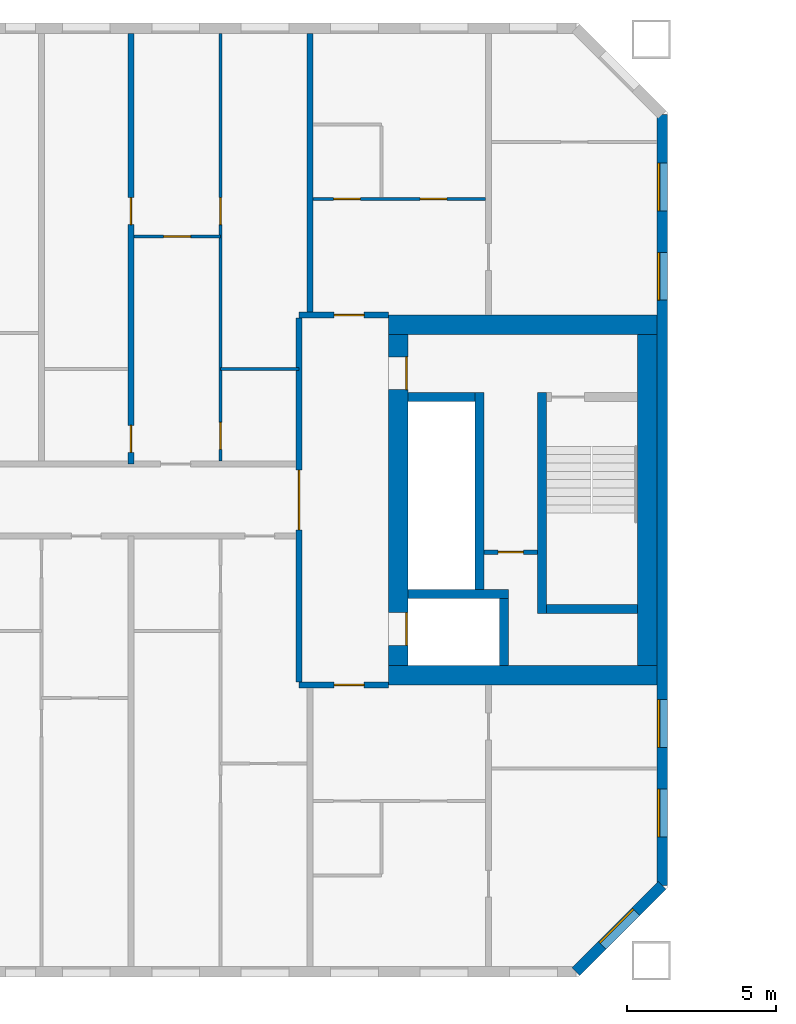
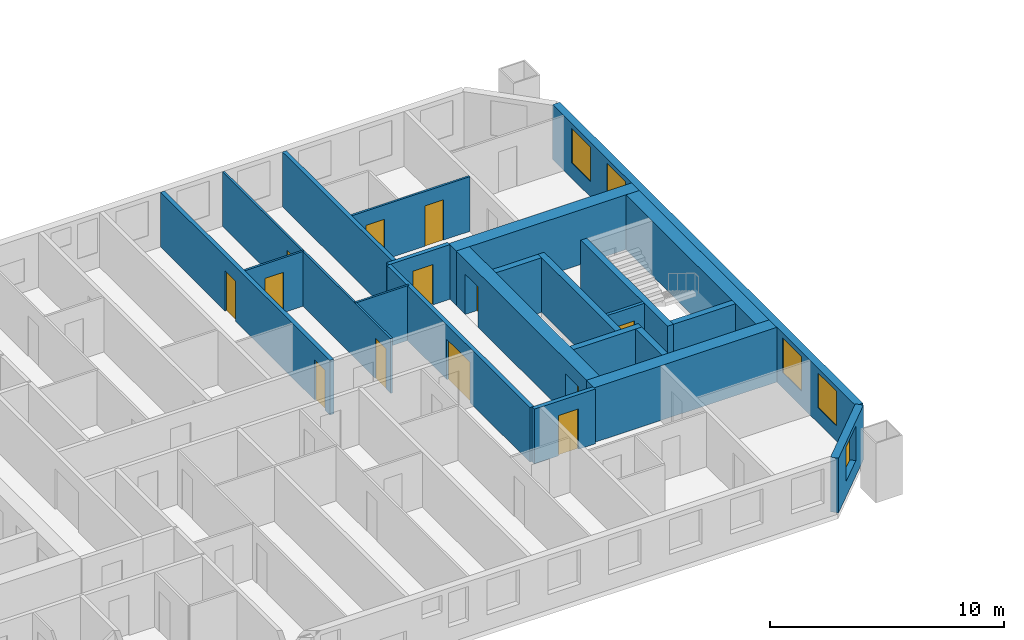
# One storey, part 7 of 16: 22 walls, 13 doors, 5 windows, 18 openings.
"""IFC4 building model written with IfcOpenShell, lengths in metres."""

from ifc_helpers import new_model, si_unit, direction, frame, frame_2d, origin, place, context, subcontext, project, spatial, rectangle, extrude, material, layer, layer_set, type_object, element, fill, save


model = new_model("IFC4")

# Units and contexts
model_context = context("Model", 3, precision=1e-05, world=origin(), true_north=direction((0.0, 1.0)))
body_context = subcontext(model_context, "Body", "Model", "MODEL_VIEW")
ifc_project = project(units=[si_unit("LENGTHUNIT", "METRE"), si_unit("AREAUNIT", "SQUARE_METRE"), si_unit("VOLUMEUNIT", "CUBIC_METRE"), si_unit("PLANEANGLEUNIT", "RADIAN"), si_unit("MASSUNIT", "GRAM", prefix="KILO")], contexts=[model_context])

# Site, building, storey
site_placement = place(None, origin())
site = spatial("IfcSite", under=ifc_project, at=site_placement, CompositionType="ELEMENT")
building_placement = place(site_placement, origin())
building = spatial("IfcBuilding", under=site, at=building_placement, Name="Tuart Gate Housing", CompositionType="ELEMENT")
storey_placement = place(building_placement, frame((0.0, 0.0, 111.89990234375)))
storey = spatial("IfcBuildingStorey", under=building, at=storey_placement, Name="L31", CompositionType="ELEMENT", Elevation=111.89990234375)

# Wall, opening, window
ifc_material_1 = material(Name="Brick", Category="masonry")
ifc_layer_1 = layer(ifc_material_1, 0.360107421875)
ifc_layer_set_1 = layer_set([ifc_layer_1], Name="Brick pier and spandrel wall 360")
wall_type_1 = type_object("IfcWallType", Name="Brick pier and spandrel wall 360", PredefinedType="STANDARD", material=ifc_layer_set_1)
wall_1_placement = place(storey_placement, frame((72.92529296875, 54.179931640625, 0.0), z_axis=(0.0, 0.0, 1.0), x_axis=(0.707106781187, 0.707106781187, 0.0)))
wall_1 = element("IfcWall", 1, at=wall_1_placement, inside=storey, type_object=wall_type_1, Name="External wall A-SE L31", PredefinedType="STANDARD", context=body_context, shape_type="SweptSolid", body=[
    extrude(rectangle(XDim=4.09375, YDim=0.360107421875, at=frame_2d((2.046875, 0.0))), origin(), (0.0, 0.0, 1.0), 2.85009765625),
])
opening_1_placement = place(wall_1_placement, frame((1.2470703125, 0.0, 0.800048828125)))
opening_1 = element("IfcOpeningElement", 2, at=opening_1_placement, cuts=wall_1, Name="Opening W1", PredefinedType="OPENING", context=body_context, shape_type="SweptSolid", body=[
    extrude(rectangle(XDim=1.60009765625, YDim=1.800048828125, at=frame_2d((0.800048828125, 0.89990234375))), frame((0.0, 0.18994140625, 0.0), z_axis=(0.0, -1.0, 0.0), x_axis=(1.0, 0.0, 0.0)), (0.0, 0.0, 1.0), 0.380126953125),
])
ifc_material_2 = material(Name="Aluminium frame with clear glass", Category="aluminium")
window_type = type_object("IfcWindowType", Name="Punched window 1600 x 1800", PartitioningType="SINGLE_PANEL", PredefinedType="WINDOW", material=ifc_material_2)
window_1_placement = place(opening_1_placement, origin())
window_1 = element("IfcWindow", 3, at=window_1_placement, inside=storey, type_object=window_type, Name="Window W1", OverallHeight=1.800048828125, OverallWidth=1.60009765625, PartitioningType="SINGLE_PANEL", PredefinedType="WINDOW", context=body_context, shape_type="SweptSolid", body=[
    extrude(rectangle(XDim=1.60009765625, YDim=1.800048828125, at=frame_2d((0.800048828125, 0.89990234375))), frame((0.0, 0.150146484375, 0.0), z_axis=(0.0, -1.0, 0.0), x_axis=(1.0, 0.0, 0.0)), (0.0, 0.0, 1.0), 0.06005859375),
])
fill(opening_1, window_1)

# Wall, openings, windows
wall_2_placement = place(storey_placement, frame((75.820068359375, 57.07470703125, 0.0), z_axis=(0.0, 0.0, 1.0), x_axis=(0.0, 1.0, 0.0)))
wall_2 = element("IfcWall", 4, at=wall_2_placement, inside=storey, type_object=wall_type_1, Name="External wall A-E L31", PredefinedType="STANDARD", context=body_context, shape_type="SweptSolid", body=[
    extrude(rectangle(XDim=25.850830078125, YDim=0.360107421875, at=frame_2d((12.92529296875, 0.0))), origin(), (0.0, 0.0, 1.0), 2.85009765625),
])
opening_2_placement = place(wall_2_placement, frame((1.62548828125, 0.0, 0.800048828125)))
opening_2 = element("IfcOpeningElement", 5, at=opening_2_placement, cuts=wall_2, Name="Opening W1", PredefinedType="OPENING", context=body_context, shape_type="SweptSolid", body=[
    extrude(rectangle(XDim=1.60009765625, YDim=1.800048828125, at=frame_2d((0.800048828125, 0.89990234375))), frame((0.0, 0.18994140625, 0.0), z_axis=(0.0, -1.0, 0.0), x_axis=(1.0, 0.0, 0.0)), (0.0, 0.0, 1.0), 0.380126953125),
])
opening_3_placement = place(wall_2_placement, frame((4.62548828125, 0.0, 0.800048828125)))
opening_3 = element("IfcOpeningElement", 6, at=opening_3_placement, cuts=wall_2, Name="Opening W1", PredefinedType="OPENING", context=body_context, shape_type="SweptSolid", body=[
    extrude(rectangle(XDim=1.60009765625, YDim=1.800048828125, at=frame_2d((0.800048828125, 0.89990234375))), frame((0.0, 0.18994140625, 0.0), z_axis=(0.0, -1.0, 0.0), x_axis=(1.0, 0.0, 0.0)), (0.0, 0.0, 1.0), 0.380126953125),
])
opening_4_placement = place(wall_2_placement, frame((19.62548828125, 0.0, 0.800048828125)))
opening_4 = element("IfcOpeningElement", 7, at=opening_4_placement, cuts=wall_2, Name="Opening W1", PredefinedType="OPENING", context=body_context, shape_type="SweptSolid", body=[
    extrude(rectangle(XDim=1.60009765625, YDim=1.800048828125, at=frame_2d((0.800048828125, 0.89990234375))), frame((0.0, 0.18994140625, 0.0), z_axis=(0.0, -1.0, 0.0), x_axis=(1.0, 0.0, 0.0)), (0.0, 0.0, 1.0), 0.380126953125),
])
opening_5_placement = place(wall_2_placement, frame((22.62548828125, 0.0, 0.800048828125)))
opening_5 = element("IfcOpeningElement", 8, at=opening_5_placement, cuts=wall_2, Name="Opening W1", PredefinedType="OPENING", context=body_context, shape_type="SweptSolid", body=[
    extrude(rectangle(XDim=1.60009765625, YDim=1.800048828125, at=frame_2d((0.800048828125, 0.89990234375))), frame((0.0, 0.18994140625, 0.0), z_axis=(0.0, -1.0, 0.0), x_axis=(1.0, 0.0, 0.0)), (0.0, 0.0, 1.0), 0.380126953125),
])
window_2_placement = place(opening_2_placement, origin())
window_2 = element("IfcWindow", 9, at=window_2_placement, inside=storey, type_object=window_type, Name="Window W1", OverallHeight=1.800048828125, OverallWidth=1.60009765625, PartitioningType="SINGLE_PANEL", PredefinedType="WINDOW", context=body_context, shape_type="SweptSolid", body=[
    extrude(rectangle(XDim=1.60009765625, YDim=1.800048828125, at=frame_2d((0.800048828125, 0.89990234375))), frame((0.0, 0.150146484375, 0.0), z_axis=(0.0, -1.0, 0.0), x_axis=(1.0, 0.0, 0.0)), (0.0, 0.0, 1.0), 0.06005859375),
])
fill(opening_2, window_2)
window_3_placement = place(opening_3_placement, origin())
window_3 = element("IfcWindow", 10, at=window_3_placement, inside=storey, type_object=window_type, Name="Window W1", OverallHeight=1.800048828125, OverallWidth=1.60009765625, PartitioningType="SINGLE_PANEL", PredefinedType="WINDOW", context=body_context, shape_type="SweptSolid", body=[
    extrude(rectangle(XDim=1.60009765625, YDim=1.800048828125, at=frame_2d((0.800048828125, 0.89990234375))), frame((0.0, 0.150146484375, 0.0), z_axis=(0.0, -1.0, 0.0), x_axis=(1.0, 0.0, 0.0)), (0.0, 0.0, 1.0), 0.06005859375),
])
fill(opening_3, window_3)
window_4_placement = place(opening_4_placement, origin())
window_4 = element("IfcWindow", 11, at=window_4_placement, inside=storey, type_object=window_type, Name="Window W1", OverallHeight=1.800048828125, OverallWidth=1.60009765625, PartitioningType="SINGLE_PANEL", PredefinedType="WINDOW", context=body_context, shape_type="SweptSolid", body=[
    extrude(rectangle(XDim=1.60009765625, YDim=1.800048828125, at=frame_2d((0.800048828125, 0.89990234375))), frame((0.0, 0.150146484375, 0.0), z_axis=(0.0, -1.0, 0.0), x_axis=(1.0, 0.0, 0.0)), (0.0, 0.0, 1.0), 0.06005859375),
])
fill(opening_4, window_4)
window_5_placement = place(opening_5_placement, origin())
window_5 = element("IfcWindow", 12, at=window_5_placement, inside=storey, type_object=window_type, Name="Window W1", OverallHeight=1.800048828125, OverallWidth=1.60009765625, PartitioningType="SINGLE_PANEL", PredefinedType="WINDOW", context=body_context, shape_type="SweptSolid", body=[
    extrude(rectangle(XDim=1.60009765625, YDim=1.800048828125, at=frame_2d((0.800048828125, 0.89990234375))), frame((0.0, 0.150146484375, 0.0), z_axis=(0.0, -1.0, 0.0), x_axis=(1.0, 0.0, 0.0)), (0.0, 0.0, 1.0), 0.06005859375),
])
fill(opening_5, window_5)

# Wall, opening, door
ifc_material_3 = material(Name="Plasterboard partition")
ifc_layer_2 = layer(ifc_material_3, 0.14990234375)
ifc_layer_set_2 = layer_set([ifc_layer_2], Name="Core partition 150")
wall_type_2 = type_object("IfcWallType", Name="Core partition 150", PredefinedType="PARTITIONING", material=ifc_layer_set_2)
wall_3_placement = place(storey_placement, frame((69.840087890625, 68.25, 0.0), z_axis=(0.0, 0.0, 1.0), x_axis=(1.0, 0.0, 0.0)))
wall_3 = element("IfcWall", 13, at=wall_3_placement, inside=storey, type_object=wall_type_2, Name="Core partition AG.3", PredefinedType="PARTITIONING", context=body_context, shape_type="SweptSolid", body=[
    extrude(rectangle(XDim=1.7998046875, YDim=0.14990234375, at=frame_2d((0.89990234375, 0.0))), origin(), (0.0, 0.0, 1.0), 2.85009765625),
])
opening_6_placement = place(wall_3_placement, frame((0.47509765625, 0.0, 0.0)))
opening_6 = element("IfcOpeningElement", 14, at=opening_6_placement, cuts=wall_3, Name="Opening D1214", PredefinedType="OPENING", context=body_context, shape_type="SweptSolid", body=[
    extrude(rectangle(XDim=0.85009765625, YDim=2.10009765625, at=frame_2d((0.425048828125, 1.050048828125))), frame((0.0, 0.0849609375, 0.0), z_axis=(0.0, -1.0, 0.0), x_axis=(1.0, 0.0, 0.0)), (0.0, 0.0, 1.0), 0.169921875),
])
ifc_material_4 = material(Name="Steel fire door", Category="steel")
door_type_1 = type_object("IfcDoorType", Name="Riser door 850 x 2100 RH", OperationType="SINGLE_SWING_RIGHT", PredefinedType="DOOR", material=ifc_material_4)
door_1_placement = place(opening_6_placement, frame((0.85009765625, 0.0, 0.0), z_axis=(0.0, 0.0, 1.0), x_axis=(-1.0, 0.0, 0.0)))
door_1 = element("IfcDoor", 15, at=door_1_placement, inside=storey, type_object=door_type_1, Name="Service room door AG.E1", OperationType="SINGLE_SWING_RIGHT", OverallHeight=2.10009765625, OverallWidth=0.85009765625, PredefinedType="DOOR", context=body_context, shape_type="SweptSolid", body=[
    extrude(rectangle(XDim=0.85009765625, YDim=2.10009765625, at=frame_2d((0.425048828125, 1.050048828125))), frame((0.0, 0.025146484375, 0.0), z_axis=(0.0, -1.0, 0.0), x_axis=(1.0, 0.0, 0.0)), (0.0, 0.0, 1.0), 0.050048828125),
])
fill(opening_6, door_1)

# Walls
ifc_material_5 = material(Name="Concrete C50", Category="concrete")
ifc_layer_3 = layer(ifc_material_5, 0.300048828125)
ifc_layer_set_3 = layer_set([ifc_layer_3], Name="Core wall 300 C50")
wall_type_3 = type_object("IfcWallType", Name="Core wall 300 C50", PredefinedType="SHEAR", material=ifc_layer_set_3)
wall_4_placement = place(storey_placement, frame((71.93994140625, 66.35009765625, 0.0), z_axis=(0.0, 0.0, 1.0), x_axis=(1.0, 0.0, 0.0)))
element("IfcWall", 16, at=wall_4_placement, inside=storey, type_object=wall_type_3, Name="Core wall AG.1", PredefinedType="SHEAR", context=body_context, shape_type="SweptSolid", body=[
    extrude(rectangle(XDim=3.050048828125, YDim=0.300048828125, at=frame_2d((1.52490234375, 0.0))), origin(), (0.0, 0.0, 1.0), 2.85009765625),
])
wall_5_placement = place(storey_placement, frame((67.2900390625, 66.85009765625, 0.0), z_axis=(0.0, 0.0, 1.0), x_axis=(1.0, 0.0, 0.0)))
element("IfcWall", 17, at=wall_5_placement, inside=storey, type_object=wall_type_3, Name="Core wall AG.2", PredefinedType="SHEAR", context=body_context, shape_type="SweptSolid", body=[
    extrude(rectangle(XDim=3.369873046875, YDim=0.300048828125, at=frame_2d((1.68505859375, 0.0))), origin(), (0.0, 0.0, 1.0), 2.85009765625),
])
wall_6_placement = place(storey_placement, frame((67.2900390625, 73.449951171875, 0.0), z_axis=(0.0, 0.0, 1.0), x_axis=(1.0, 0.0, 0.0)))
element("IfcWall", 18, at=wall_6_placement, inside=storey, type_object=wall_type_3, Name="Core wall AG.4", PredefinedType="SHEAR", context=body_context, shape_type="SweptSolid", body=[
    extrude(rectangle(XDim=2.25, YDim=0.300048828125, at=frame_2d((1.125, 0.0))), origin(), (0.0, 0.0, 1.0), 2.85009765625),
])
wall_7_placement = place(storey_placement, frame((69.68994140625, 67.0, 0.0), z_axis=(0.0, 0.0, 1.0), x_axis=(0.0, 1.0, 0.0)))
element("IfcWall", 19, at=wall_7_placement, inside=storey, type_object=wall_type_3, Name="Core wall AG.6", PredefinedType="SHEAR", context=body_context, shape_type="SweptSolid", body=[
    extrude(rectangle(XDim=6.60009765625, YDim=0.300048828125, at=frame_2d((3.300048828125, 0.0))), origin(), (0.0, 0.0, 1.0), 2.85009765625),
])
wall_8_placement = place(storey_placement, frame((70.510009765625, 64.449951171875, 0.0), z_axis=(0.0, 0.0, 1.0), x_axis=(0.0, 1.0, 0.0)))
element("IfcWall", 20, at=wall_8_placement, inside=storey, type_object=wall_type_3, Name="Core wall AG.7", PredefinedType="SHEAR", context=body_context, shape_type="SweptSolid", body=[
    extrude(rectangle(XDim=2.25, YDim=0.300048828125, at=frame_2d((1.125, 0.0))), origin(), (0.0, 0.0, 1.0), 2.85009765625),
])
wall_9_placement = place(storey_placement, frame((71.7900390625, 66.199951171875, 0.0), z_axis=(0.0, 0.0, 1.0), x_axis=(0.0, 1.0, 0.0)))
element("IfcWall", 21, at=wall_9_placement, inside=storey, type_object=wall_type_3, Name="Core wall AG.8", PredefinedType="SHEAR", context=body_context, shape_type="SweptSolid", body=[
    extrude(rectangle(XDim=7.400146484375, YDim=0.300048828125, at=frame_2d((3.7001953125, 0.0))), origin(), (0.0, 0.0, 1.0), 2.85009765625),
])

# Wall, openings, doors
ifc_material_6 = material(Name="Concrete C50", Category="concrete")
ifc_layer_4 = layer(ifc_material_6, 0.64990234375)
ifc_layer_set_4 = layer_set([ifc_layer_4], Name="Core wall 650 C50")
wall_type_4 = type_object("IfcWallType", Name="Core wall 650 C50", PredefinedType="SHEAR", material=ifc_layer_set_4)
wall_10_placement = place(storey_placement, frame((66.965087890625, 64.449951171875, 0.0), z_axis=(0.0, 0.0, 1.0), x_axis=(0.0, 1.0, 0.0)))
wall_10 = element("IfcWall", 22, at=wall_10_placement, inside=storey, type_object=wall_type_4, Name="Core wall AG front", PredefinedType="SHEAR", context=body_context, shape_type="SweptSolid", body=[
    extrude(rectangle(XDim=11.10009765625, YDim=0.64990234375, at=frame_2d((5.550048828125, 0.0))), origin(), (0.0, 0.0, 1.0), 2.85009765625),
])
opening_7_placement = place(wall_10_placement, frame((0.675048828125, 0.0, 0.0)))
opening_7 = element("IfcOpeningElement", 23, at=opening_7_placement, cuts=wall_10, Name="Opening LD-FA1", PredefinedType="OPENING", context=body_context, shape_type="SweptSolid", body=[
    extrude(rectangle(XDim=1.10009765625, YDim=2.10009765625, at=frame_2d((0.550048828125, 1.050048828125))), frame((0.0, 0.3349609375, 0.0), z_axis=(0.0, -1.0, 0.0), x_axis=(1.0, 0.0, 0.0)), (0.0, 0.0, 1.0), 0.669921875),
])
opening_8_placement = place(wall_10_placement, frame((9.25, 0.0, 0.0)))
opening_8 = element("IfcOpeningElement", 24, at=opening_8_placement, cuts=wall_10, Name="Opening D1210", PredefinedType="OPENING", context=body_context, shape_type="SweptSolid", body=[
    extrude(rectangle(XDim=1.10009765625, YDim=2.10009765625, at=frame_2d((0.550048828125, 1.050048828125))), frame((0.0, 0.3349609375, 0.0), z_axis=(0.0, -1.0, 0.0), x_axis=(1.0, 0.0, 0.0)), (0.0, 0.0, 1.0), 0.669921875),
])
ifc_material_7 = material(Name="Stainless steel", Category="steel")
door_type_2 = type_object("IfcDoorType", Name="Landing door 1100 x 2100", OperationType="DOUBLE_DOOR_SLIDING", PredefinedType="DOOR", material=ifc_material_7)
door_2_placement = place(opening_7_placement, origin())
door_2 = element("IfcDoor", 25, at=door_2_placement, inside=storey, type_object=door_type_2, Name="Lift landing door FA1", OperationType="DOUBLE_DOOR_SLIDING", OverallHeight=2.10009765625, OverallWidth=1.10009765625, PredefinedType="DOOR", context=body_context, shape_type="SweptSolid", body=[
    extrude(rectangle(XDim=1.10009765625, YDim=2.10009765625, at=frame_2d((0.550048828125, 1.050048828125))), frame((0.0, -0.259765625, 0.0), z_axis=(0.0, -1.0, 0.0), x_axis=(1.0, 0.0, 0.0)), (0.0, 0.0, 1.0), 0.050048828125),
])
fill(opening_7, door_2)
ifc_material_8 = material(Name="Steel fire door", Category="steel")
door_type_3 = type_object("IfcDoorType", Name="Lobby door 1100 x 2100 RH", OperationType="SINGLE_SWING_RIGHT", PredefinedType="DOOR", material=ifc_material_8)
door_3_placement = place(opening_8_placement, frame((1.10009765625, 0.0, 0.0), z_axis=(0.0, 0.0, 1.0), x_axis=(-1.0, 0.0, 0.0)))
door_3 = element("IfcDoor", 26, at=door_3_placement, inside=storey, type_object=door_type_3, Name="Lobby entry door AG.EN", OperationType="SINGLE_SWING_RIGHT", OverallHeight=2.10009765625, OverallWidth=1.10009765625, PredefinedType="DOOR", context=body_context, shape_type="SweptSolid", body=[
    extrude(rectangle(XDim=1.10009765625, YDim=2.10009765625, at=frame_2d((0.550048828125, 1.050048828125))), frame((0.0, 0.309814453125, 0.0), z_axis=(0.0, -1.0, 0.0), x_axis=(1.0, 0.0, 0.0)), (0.0, 0.0, 1.0), 0.050048828125),
])
fill(opening_8, door_3)

# Walls
wall_11_placement = place(storey_placement, frame((75.31494140625, 64.449951171875, 0.0), z_axis=(0.0, 0.0, 1.0), x_axis=(0.0, 1.0, 0.0)))
element("IfcWall", 27, at=wall_11_placement, inside=storey, type_object=wall_type_4, Name="Core wall AG back", PredefinedType="SHEAR", context=body_context, shape_type="SweptSolid", body=[
    extrude(rectangle(XDim=11.10009765625, YDim=0.64990234375, at=frame_2d((5.550048828125, 0.0))), origin(), (0.0, 0.0, 1.0), 2.85009765625),
])
for number, where, z_axis, x_axis, name in (
    (28, (66.639892578125, 64.125, 0.0), (0.0, 0.0, 1.0), (1.0, 0.0, 0.0), "Core wall AG south"),
    (29, (66.639892578125, 75.875, 0.0), (0.0, 0.0, 1.0), (1.0, 0.0, 0.0), "Core wall AG north"),
):
    element("IfcWall", number, at=place(storey_placement, frame(where, z_axis=z_axis, x_axis=x_axis)), inside=storey, type_object=wall_type_4, Name=name, PredefinedType="SHEAR", context=body_context, shape_type="SweptSolid", body=[
        extrude(rectangle(XDim=9.0, YDim=0.64990234375, at=frame_2d((4.5, 0.0))), origin(), (0.0, 0.0, 1.0), 2.85009765625),
    ])

# Wall, opening, door
ifc_material_9 = material(Name="Concrete masonry 15 MPa", Category="masonry")
ifc_layer_5 = layer(ifc_material_9, 0.199951171875)
ifc_layer_set_5 = layer_set([ifc_layer_5], Name="Enclosure wall masonry 200")
wall_type_5 = type_object("IfcWallType", Name="Enclosure wall masonry 200", PredefinedType="PARTITIONING", material=ifc_layer_set_5)
wall_12_placement = place(storey_placement, frame((63.639892578125, 63.800048828125, 0.0), z_axis=(0.0, 0.0, 1.0), x_axis=(1.0, 0.0, 0.0)))
wall_12 = element("IfcWall", 30, at=wall_12_placement, inside=storey, type_object=wall_type_5, Name="Enclosure wall masonry 200", PredefinedType="PARTITIONING", context=body_context, shape_type="SweptSolid", body=[
    extrude(rectangle(XDim=3.0, YDim=0.199951171875, at=frame_2d((1.5, 0.0))), origin(), (0.0, 0.0, 1.0), 2.85009765625),
])
opening_9_placement = place(wall_12_placement, frame((1.179931640625, 0.0, 0.0)))
opening_9 = element("IfcOpeningElement", 31, at=opening_9_placement, cuts=wall_12, Name="Opening D1217", PredefinedType="OPENING", context=body_context, shape_type="SweptSolid", body=[
    extrude(rectangle(XDim=1.0, YDim=2.10009765625, at=frame_2d((0.5, 1.050048828125))), frame((0.0, 0.10986328125, 0.0), z_axis=(0.0, -1.0, 0.0), x_axis=(1.0, 0.0, 0.0)), (0.0, 0.0, 1.0), 0.219970703125),
])
ifc_material_10 = material(Name="Timber door leaf in steel frame", Category="steel")
door_type_4 = type_object("IfcDoorType", Name="Flat entrance door 1000 RH", OperationType="SINGLE_SWING_RIGHT", PredefinedType="DOOR", material=ifc_material_10)
door_4_placement = place(opening_9_placement, frame((1.0, 0.0, 0.0), z_axis=(0.0, 0.0, 1.0), x_axis=(-1.0, 0.0, 0.0)))
door_4 = element("IfcDoor", 32, at=door_4_placement, inside=storey, type_object=door_type_4, Name="Flat entrance door", OperationType="SINGLE_SWING_RIGHT", OverallHeight=2.10009765625, OverallWidth=1.0, PredefinedType="DOOR", context=body_context, shape_type="SweptSolid", body=[
    extrude(rectangle(XDim=1.0, YDim=2.10009765625, at=frame_2d((0.5, 1.050048828125))), frame((0.0, 0.025146484375, 0.0), z_axis=(0.0, -1.0, 0.0), x_axis=(1.0, 0.0, 0.0)), (0.0, 0.0, 1.0), 0.050048828125),
])
fill(opening_9, door_4)

wall_13_placement = place(storey_placement, frame((63.639892578125, 76.199951171875, 0.0), z_axis=(0.0, 0.0, 1.0), x_axis=(1.0, 0.0, 0.0)))
wall_13 = element("IfcWall", 33, at=wall_13_placement, inside=storey, type_object=wall_type_5, Name="Enclosure wall masonry 200", PredefinedType="PARTITIONING", context=body_context, shape_type="SweptSolid", body=[
    extrude(rectangle(XDim=3.0, YDim=0.199951171875, at=frame_2d((1.5, 0.0))), origin(), (0.0, 0.0, 1.0), 2.85009765625),
])
opening_10_placement = place(wall_13_placement, frame((1.179931640625, 0.0, 0.0)))
opening_10 = element("IfcOpeningElement", 34, at=opening_10_placement, cuts=wall_13, Name="Opening D1199", PredefinedType="OPENING", context=body_context, shape_type="SweptSolid", body=[
    extrude(rectangle(XDim=1.0, YDim=2.10009765625, at=frame_2d((0.5, 1.050048828125))), frame((0.0, 0.10986328125, 0.0), z_axis=(0.0, -1.0, 0.0), x_axis=(1.0, 0.0, 0.0)), (0.0, 0.0, 1.0), 0.219970703125),
])
ifc_material_11 = material(Name="Timber door leaf in steel frame", Category="steel")
door_type_5 = type_object("IfcDoorType", Name="Flat entrance door 1000", OperationType="SINGLE_SWING_LEFT", PredefinedType="DOOR", material=ifc_material_11)
door_5_placement = place(opening_10_placement, origin())
door_5 = element("IfcDoor", 35, at=door_5_placement, inside=storey, type_object=door_type_5, Name="Flat entrance door", OperationType="SINGLE_SWING_LEFT", OverallHeight=2.10009765625, OverallWidth=1.0, PredefinedType="DOOR", context=body_context, shape_type="SweptSolid", body=[
    extrude(rectangle(XDim=1.0, YDim=2.10009765625, at=frame_2d((0.5, 1.050048828125))), frame((0.0, 0.02490234375, 0.0), z_axis=(0.0, -1.0, 0.0), x_axis=(1.0, 0.0, 0.0)), (0.0, 0.0, 1.0), 0.050048828125),
])
fill(opening_10, door_5)

ifc_material_12 = material(Name="Plasterboard partition")
ifc_layer_6 = layer(ifc_material_12, 0.199951171875)
ifc_layer_set_6 = layer_set([ifc_layer_6], Name="Lobby wall 200")
wall_type_6 = type_object("IfcWallType", Name="Lobby wall 200", PredefinedType="PARTITIONING", material=ifc_layer_set_6)
wall_14_placement = place(storey_placement, frame((63.639892578125, 63.89990234375, 0.0), z_axis=(0.0, 0.0, 1.0), x_axis=(0.0, 1.0, 0.0)))
wall_14 = element("IfcWall", 36, at=wall_14_placement, inside=storey, type_object=wall_type_6, Name="Lift lobby wall AG", PredefinedType="PARTITIONING", context=body_context, shape_type="SweptSolid", body=[
    extrude(rectangle(XDim=12.2001953125, YDim=0.199951171875, at=frame_2d((6.10009765625, 0.0))), origin(), (0.0, 0.0, 1.0), 2.85009765625),
])
opening_11_placement = place(wall_14_placement, frame((5.10009765625, 0.0, 0.0)))
opening_11 = element("IfcOpeningElement", 37, at=opening_11_placement, cuts=wall_14, Name="Opening D1209", PredefinedType="OPENING", context=body_context, shape_type="SweptSolid", body=[
    extrude(rectangle(XDim=2.0, YDim=2.10009765625, at=frame_2d((1.0, 1.050048828125))), frame((0.0, 0.10986328125, 0.0), z_axis=(0.0, -1.0, 0.0), x_axis=(1.0, 0.0, 0.0)), (0.0, 0.0, 1.0), 0.219970703125),
])
ifc_material_13 = material(Name="Steel fire door", Category="steel")
door_type_6 = type_object("IfcDoorType", Name="Smoke door 2000 x 2100", OperationType="DOUBLE_DOOR_SINGLE_SWING", PredefinedType="DOOR", material=ifc_material_13)
door_6_placement = place(opening_11_placement, frame((2.0, 0.0, 0.0), z_axis=(0.0, 0.0, 1.0), x_axis=(-1.0, 0.0, 0.0)))
door_6 = element("IfcDoor", 38, at=door_6_placement, inside=storey, type_object=door_type_6, Name="Lift lobby smoke door AG", OperationType="DOUBLE_DOOR_SINGLE_SWING", OverallHeight=2.10009765625, OverallWidth=2.0, PredefinedType="DOOR", context=body_context, shape_type="SweptSolid", body=[
    extrude(rectangle(XDim=2.0, YDim=2.10009765625, at=frame_2d((1.0, 1.050048828125))), frame((0.0, 0.025146484375, 0.0), z_axis=(0.0, -1.0, 0.0), x_axis=(1.0, 0.0, 0.0)), (0.0, 0.0, 1.0), 0.050048828125),
])
fill(opening_11, door_6)

# Wall
ifc_material_14 = material(Name="Gypsum board on steel studs", Category="steel")
ifc_layer_7 = layer(ifc_material_14, 0.10009765625)
ifc_layer_set_7 = layer_set([ifc_layer_7], Name="Partition 100")
wall_type_7 = type_object("IfcWallType", Name="Partition 100", PredefinedType="PARTITIONING", material=ifc_layer_set_7)
wall_15_placement = place(storey_placement, frame((61.0, 74.39990234375, 0.0), z_axis=(0.0, 0.0, 1.0), x_axis=(1.0, 0.0, 0.0)))
element("IfcWall", 39, at=wall_15_placement, inside=storey, type_object=wall_type_7, Name="Partition 100", PredefinedType="PARTITIONING", context=body_context, shape_type="SweptSolid", body=[
    extrude(rectangle(XDim=2.639892578125, YDim=0.10009765625, at=frame_2d((1.31982421875, 0.0))), origin(), (0.0, 0.0, 1.0), 2.85009765625),
])

# Wall, opening, door
wall_16_placement = place(storey_placement, frame((58.10009765625, 78.840087890625, 0.0), z_axis=(0.0, 0.0, 1.0), x_axis=(1.0, 0.0, 0.0)))
wall_16 = element("IfcWall", 40, at=wall_16_placement, inside=storey, type_object=wall_type_7, Name="Partition 100", PredefinedType="PARTITIONING", context=body_context, shape_type="SweptSolid", body=[
    extrude(rectangle(XDim=2.89990234375, YDim=0.10009765625, at=frame_2d((1.449951171875, 0.0))), origin(), (0.0, 0.0, 1.0), 2.85009765625),
])
opening_12_placement = place(wall_16_placement, frame((1.0, 0.0, 0.0)))
opening_12 = element("IfcOpeningElement", 41, at=opening_12_placement, cuts=wall_16, Name="Opening D1186", PredefinedType="OPENING", context=body_context, shape_type="SweptSolid", body=[
    extrude(rectangle(XDim=0.89990234375, YDim=2.10009765625, at=frame_2d((0.449951171875, 1.050048828125))), frame((0.0, 0.06005859375, 0.0), z_axis=(0.0, -1.0, 0.0), x_axis=(1.0, 0.0, 0.0)), (0.0, 0.0, 1.0), 0.1201171875),
])
ifc_material_15 = material(Name="Timber door leaf in steel frame", Category="steel")
door_type_7 = type_object("IfcDoorType", Name="Internal door 900", OperationType="SINGLE_SWING_LEFT", PredefinedType="DOOR", material=ifc_material_15)
door_7_placement = place(opening_12_placement, frame((0.89990234375, 0.0, 0.0), z_axis=(0.0, 0.0, 1.0), x_axis=(-1.0, 0.0, 0.0)))
door_7 = element("IfcDoor", 42, at=door_7_placement, inside=storey, type_object=door_type_7, Name="Internal door", OperationType="SINGLE_SWING_LEFT", OverallHeight=2.10009765625, OverallWidth=0.89990234375, PredefinedType="DOOR", context=body_context, shape_type="SweptSolid", body=[
    extrude(rectangle(XDim=0.89990234375, YDim=2.10009765625, at=frame_2d((0.449951171875, 1.050048828125))), frame((0.0, 0.025146484375, 0.0), z_axis=(0.0, -1.0, 0.0), x_axis=(1.0, 0.0, 0.0)), (0.0, 0.0, 1.0), 0.050048828125),
])
fill(opening_12, door_7)

# Wall, openings, doors
wall_17_placement = place(storey_placement, frame((64.10009765625, 80.10009765625, 0.0), z_axis=(0.0, 0.0, 1.0), x_axis=(1.0, 0.0, 0.0)))
wall_17 = element("IfcWall", 43, at=wall_17_placement, inside=storey, type_object=wall_type_7, Name="Partition 100", PredefinedType="PARTITIONING", context=body_context, shape_type="SweptSolid", body=[
    extrude(rectangle(XDim=5.7998046875, YDim=0.10009765625, at=frame_2d((2.89990234375, 0.0))), origin(), (0.0, 0.0, 1.0), 2.85009765625),
])
opening_13_placement = place(wall_17_placement, frame((3.60009765625, 0.0, 0.0)))
opening_13 = element("IfcOpeningElement", 44, at=opening_13_placement, cuts=wall_17, Name="Opening D1185", PredefinedType="OPENING", context=body_context, shape_type="SweptSolid", body=[
    extrude(rectangle(XDim=0.89990234375, YDim=2.10009765625, at=frame_2d((0.449951171875, 1.050048828125))), frame((0.0, 0.06005859375, 0.0), z_axis=(0.0, -1.0, 0.0), x_axis=(1.0, 0.0, 0.0)), (0.0, 0.0, 1.0), 0.1201171875),
])
opening_14_placement = place(wall_17_placement, frame((0.699951171875, 0.0, 0.0)))
opening_14 = element("IfcOpeningElement", 45, at=opening_14_placement, cuts=wall_17, Name="Opening D1184", PredefinedType="OPENING", context=body_context, shape_type="SweptSolid", body=[
    extrude(rectangle(XDim=0.89990234375, YDim=2.10009765625, at=frame_2d((0.449951171875, 1.050048828125))), frame((0.0, 0.06005859375, 0.0), z_axis=(0.0, -1.0, 0.0), x_axis=(1.0, 0.0, 0.0)), (0.0, 0.0, 1.0), 0.1201171875),
])
ifc_material_16 = material(Name="Timber door leaf in steel frame", Category="steel")
door_type_8 = type_object("IfcDoorType", Name="Bathroom door 900 RH", OperationType="SINGLE_SWING_RIGHT", PredefinedType="DOOR", material=ifc_material_16)
door_8_placement = place(opening_14_placement, origin())
door_8 = element("IfcDoor", 46, at=door_8_placement, inside=storey, type_object=door_type_8, Name="Bathroom door", OperationType="SINGLE_SWING_RIGHT", OverallHeight=2.10009765625, OverallWidth=0.89990234375, PredefinedType="DOOR", context=body_context, shape_type="SweptSolid", body=[
    extrude(rectangle(XDim=0.89990234375, YDim=2.10009765625, at=frame_2d((0.449951171875, 1.050048828125))), frame((0.0, 0.02490234375, 0.0), z_axis=(0.0, -1.0, 0.0), x_axis=(1.0, 0.0, 0.0)), (0.0, 0.0, 1.0), 0.050048828125),
])
fill(opening_14, door_8)
door_9_placement = place(opening_13_placement, origin())
door_9 = element("IfcDoor", 47, at=door_9_placement, inside=storey, type_object=door_type_7, Name="Internal door", OperationType="SINGLE_SWING_LEFT", OverallHeight=2.10009765625, OverallWidth=0.89990234375, PredefinedType="DOOR", context=body_context, shape_type="SweptSolid", body=[
    extrude(rectangle(XDim=0.89990234375, YDim=2.10009765625, at=frame_2d((0.449951171875, 1.050048828125))), frame((0.0, 0.02490234375, 0.0), z_axis=(0.0, -1.0, 0.0), x_axis=(1.0, 0.0, 0.0)), (0.0, 0.0, 1.0), 0.050048828125),
])
fill(opening_13, door_9)

wall_18_placement = place(storey_placement, frame((61.0, 71.300048828125, 0.0), z_axis=(0.0, 0.0, 1.0), x_axis=(0.0, 1.0, 0.0)))
wall_18 = element("IfcWall", 48, at=wall_18_placement, inside=storey, type_object=wall_type_7, Name="Partition 100", PredefinedType="PARTITIONING", context=body_context, shape_type="SweptSolid", body=[
    extrude(rectangle(XDim=14.33984375, YDim=0.10009765625, at=frame_2d((7.169921875, 0.0))), origin(), (0.0, 0.0, 1.0), 2.85009765625),
])
opening_15_placement = place(wall_18_placement, frame((7.93994140625, 0.0, 0.0)))
opening_15 = element("IfcOpeningElement", 49, at=opening_15_placement, cuts=wall_18, Name="Opening D1193", PredefinedType="OPENING", context=body_context, shape_type="SweptSolid", body=[
    extrude(rectangle(XDim=0.89990234375, YDim=2.10009765625, at=frame_2d((0.449951171875, 1.050048828125))), frame((0.0, 0.06005859375, 0.0), z_axis=(0.0, -1.0, 0.0), x_axis=(1.0, 0.0, 0.0)), (0.0, 0.0, 1.0), 0.1201171875),
])
opening_16_placement = place(wall_18_placement, frame((0.39990234375, 0.0, 0.0)))
opening_16 = element("IfcOpeningElement", 50, at=opening_16_placement, cuts=wall_18, Name="Opening D1192", PredefinedType="OPENING", context=body_context, shape_type="SweptSolid", body=[
    extrude(rectangle(XDim=0.89990234375, YDim=2.10009765625, at=frame_2d((0.449951171875, 1.050048828125))), frame((0.0, 0.06005859375, 0.0), z_axis=(0.0, -1.0, 0.0), x_axis=(1.0, 0.0, 0.0)), (0.0, 0.0, 1.0), 0.1201171875),
])
door_10_placement = place(opening_16_placement, frame((0.89990234375, 0.0, 0.0), z_axis=(0.0, 0.0, 1.0), x_axis=(-1.0, 0.0, 0.0)))
door_10 = element("IfcDoor", 51, at=door_10_placement, inside=storey, type_object=door_type_8, Name="Bathroom door", OperationType="SINGLE_SWING_RIGHT", OverallHeight=2.10009765625, OverallWidth=0.89990234375, PredefinedType="DOOR", context=body_context, shape_type="SweptSolid", body=[
    extrude(rectangle(XDim=0.89990234375, YDim=2.10009765625, at=frame_2d((0.449951171875, 1.050048828125))), frame((0.0, 0.025146484375, 0.0), z_axis=(0.0, -1.0, 0.0), x_axis=(1.0, 0.0, 0.0)), (0.0, 0.0, 1.0), 0.050048828125),
])
fill(opening_16, door_10)
ifc_material_17 = material(Name="Timber door leaf in steel frame", Category="steel")
door_type_9 = type_object("IfcDoorType", Name="Internal door 900 RH", OperationType="SINGLE_SWING_RIGHT", PredefinedType="DOOR", material=ifc_material_17)
door_11_placement = place(opening_15_placement, frame((0.89990234375, 0.0, 0.0), z_axis=(0.0, 0.0, 1.0), x_axis=(-1.0, 0.0, 0.0)))
door_11 = element("IfcDoor", 52, at=door_11_placement, inside=storey, type_object=door_type_9, Name="Internal door", OperationType="SINGLE_SWING_RIGHT", OverallHeight=2.10009765625, OverallWidth=0.89990234375, PredefinedType="DOOR", context=body_context, shape_type="SweptSolid", body=[
    extrude(rectangle(XDim=0.89990234375, YDim=2.10009765625, at=frame_2d((0.449951171875, 1.050048828125))), frame((0.0, 0.025146484375, 0.0), z_axis=(0.0, -1.0, 0.0), x_axis=(1.0, 0.0, 0.0)), (0.0, 0.0, 1.0), 0.050048828125),
])
fill(opening_15, door_11)

ifc_material_18 = material(Name="Concrete C40", Category="concrete")
ifc_layer_8 = layer(ifc_material_18, 0.199951171875)
ifc_layer_set_8 = layer_set([ifc_layer_8], Name="Party wall concrete C40 200")
wall_type_8 = type_object("IfcWallType", Name="Party wall concrete C40 200", PredefinedType="SOLIDWALL", material=ifc_layer_set_8)
wall_19_placement = place(storey_placement, frame((58.0, 71.199951171875, 0.0), z_axis=(0.0, 0.0, 1.0), x_axis=(0.0, 1.0, 0.0)))
wall_19 = element("IfcWall", 53, at=wall_19_placement, inside=storey, type_object=wall_type_8, Name="Party wall concrete C40 200", PredefinedType="SOLIDWALL", context=body_context, shape_type="SweptSolid", body=[
    extrude(rectangle(XDim=14.43994140625, YDim=0.199951171875, at=frame_2d((7.219970703125, 0.0))), origin(), (0.0, 0.0, 1.0), 2.85009765625),
])
opening_17_placement = place(wall_19_placement, frame((8.0400390625, 0.0, 0.0)))
opening_17 = element("IfcOpeningElement", 54, at=opening_17_placement, cuts=wall_19, Name="Opening D1197", PredefinedType="OPENING", context=body_context, shape_type="SweptSolid", body=[
    extrude(rectangle(XDim=0.89990234375, YDim=2.10009765625, at=frame_2d((0.449951171875, 1.050048828125))), frame((0.0, 0.10986328125, 0.0), z_axis=(0.0, -1.0, 0.0), x_axis=(1.0, 0.0, 0.0)), (0.0, 0.0, 1.0), 0.219970703125),
])
opening_18_placement = place(wall_19_placement, frame((0.39990234375, 0.0, 0.0)))
opening_18 = element("IfcOpeningElement", 55, at=opening_18_placement, cuts=wall_19, Name="Opening D1196", PredefinedType="OPENING", context=body_context, shape_type="SweptSolid", body=[
    extrude(rectangle(XDim=0.89990234375, YDim=2.10009765625, at=frame_2d((0.449951171875, 1.050048828125))), frame((0.0, 0.10986328125, 0.0), z_axis=(0.0, -1.0, 0.0), x_axis=(1.0, 0.0, 0.0)), (0.0, 0.0, 1.0), 0.219970703125),
])
ifc_material_19 = material(Name="Timber door leaf in steel frame", Category="steel")
door_type_10 = type_object("IfcDoorType", Name="Bathroom door 900", OperationType="SINGLE_SWING_LEFT", PredefinedType="DOOR", material=ifc_material_19)
door_12_placement = place(opening_18_placement, origin())
door_12 = element("IfcDoor", 56, at=door_12_placement, inside=storey, type_object=door_type_10, Name="Bathroom door", OperationType="SINGLE_SWING_LEFT", OverallHeight=2.10009765625, OverallWidth=0.89990234375, PredefinedType="DOOR", context=body_context, shape_type="SweptSolid", body=[
    extrude(rectangle(XDim=0.89990234375, YDim=2.10009765625, at=frame_2d((0.449951171875, 1.050048828125))), frame((0.0, 0.02490234375, 0.0), z_axis=(0.0, -1.0, 0.0), x_axis=(1.0, 0.0, 0.0)), (0.0, 0.0, 1.0), 0.050048828125),
])
fill(opening_18, door_12)
door_13_placement = place(opening_17_placement, origin())
door_13 = element("IfcDoor", 57, at=door_13_placement, inside=storey, type_object=door_type_7, Name="Internal door", OperationType="SINGLE_SWING_LEFT", OverallHeight=2.10009765625, OverallWidth=0.89990234375, PredefinedType="DOOR", context=body_context, shape_type="SweptSolid", body=[
    extrude(rectangle(XDim=0.89990234375, YDim=2.10009765625, at=frame_2d((0.449951171875, 1.050048828125))), frame((0.0, 0.02490234375, 0.0), z_axis=(0.0, -1.0, 0.0), x_axis=(1.0, 0.0, 0.0)), (0.0, 0.0, 1.0), 0.050048828125),
])
fill(opening_17, door_13)

# Wall
wall_20_placement = place(storey_placement, frame((64.0, 76.199951171875, 0.0), z_axis=(0.0, 0.0, 1.0), x_axis=(0.0, 1.0, 0.0)))
element("IfcWall", 58, at=wall_20_placement, inside=storey, type_object=wall_type_8, Name="Party wall concrete C40 200", PredefinedType="SOLIDWALL", context=body_context, shape_type="SweptSolid", body=[
    extrude(rectangle(XDim=9.43994140625, YDim=0.199951171875, at=frame_2d((4.719970703125, 0.0))), origin(), (0.0, 0.0, 1.0), 2.85009765625),
])

save(model, "model.ifc")
